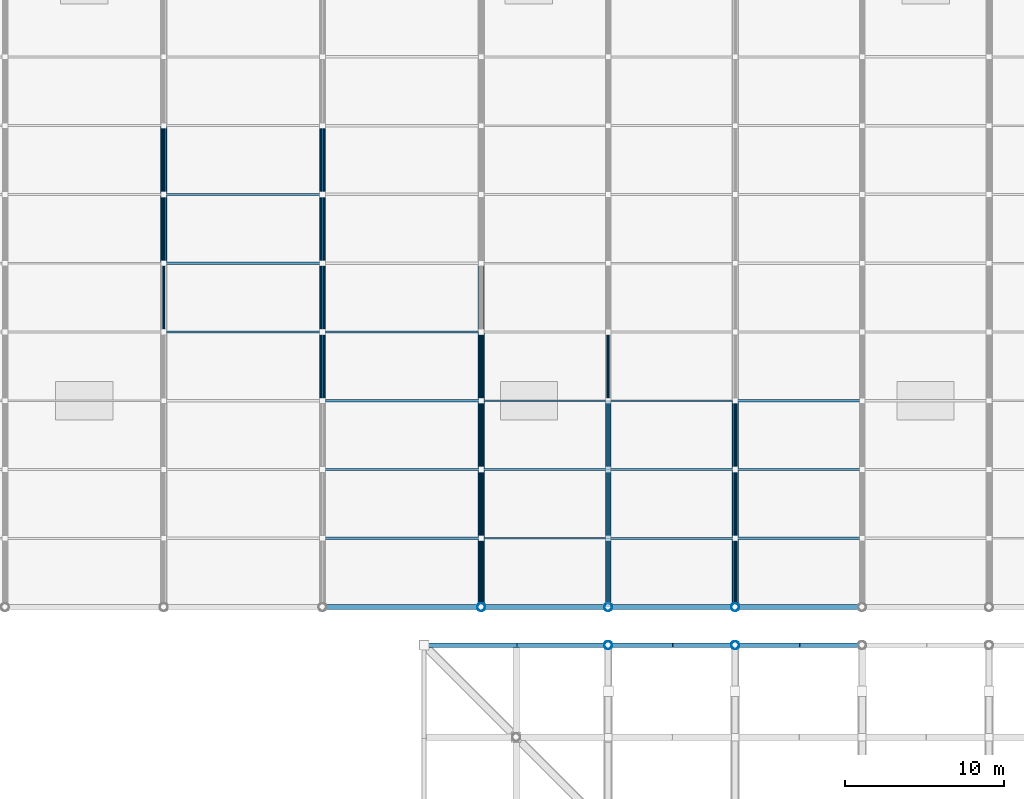
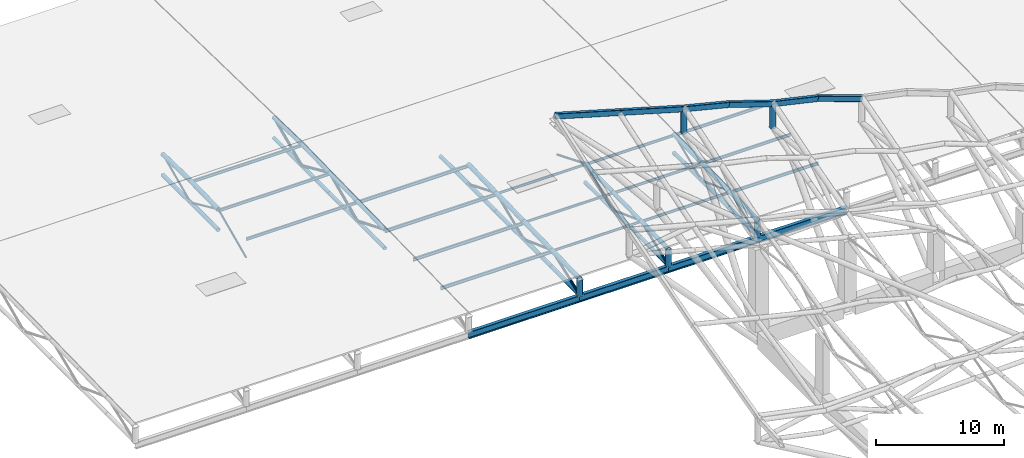
# One storey, part 13 of 75: 72 members, 10 beams.
"""IFC4 building model written with IfcOpenShell, lengths in metres."""

import ifcopenshell
import ifcopenshell.guid

model = None  # the IFC model being written
_history = None  # IfcOwnerHistory: only IFC2X3 demands one
_inside = {}  # id of a spatial element -> (the spatial element, [elements in it])
_under = {}  # id of a project, library or spatial element -> (it, [spatial elements below it])
_declared = {}  # id of a project -> (the project, [libraries it declares])
_typed = {}  # id of a type object -> (the type object, [elements of that type])
_made_of = {}  # id of a material, layer set ... -> (it, [elements and type objects made of it])


def new_model(schema):
    """Start an empty IFC model of exactly this schema.

    Asked for "IFC4X3", IfcOpenShell would pick the latest addendum, in which some entities
    have other attributes; the version numbers below select the first issue.
    IFC2X3 requires an IfcOwnerHistory on every rooted entity: one is made here for all.
    """
    global model, _history
    if schema == "IFC4X3":
        model = ifcopenshell.file(schema_version=(4, 3, 0, 0))
    else:
        model = ifcopenshell.file(schema=schema)
    _inside.clear()
    _under.clear()
    _declared.clear()
    _typed.clear()
    _made_of.clear()
    _history = None
    if model.schema == "IFC2X3":
        org = make("IfcOrganization", Name="unknown")
        user = make(
            "IfcPersonAndOrganization",
            ThePerson=make("IfcPerson", FamilyName="unknown"),
            TheOrganization=org,
        )
        app = make(
            "IfcApplication",
            ApplicationDeveloper=org,
            Version="unknown",
            ApplicationFullName="unknown",
            ApplicationIdentifier="unknown",
        )
        _history = make(
            "IfcOwnerHistory",
            OwningUser=user,
            OwningApplication=app,
            ChangeAction="ADDED",
            CreationDate=0,
        )
    return model


def make(cls, **values):
    """One entity of the class cls with the attributes given. An attribute that is None is left unset."""
    return model.create_entity(
        cls, **{name: value for name, value in values.items() if value is not None}
    )


def rooted(cls, **values):
    """An entity with a GlobalId (a new one), such as an element, a storey or a relation."""
    return make(cls, GlobalId=ifcopenshell.guid.new(), OwnerHistory=_history, **values)


def si_unit(unit_type, name, prefix=None):
    """IfcSIUnit, for example si_unit("LENGTHUNIT", "METRE", prefix="MILLI")."""
    return make("IfcSIUnit", UnitType=unit_type, Prefix=prefix, Name=name)


def assignment(units):
    """IfcUnitAssignment: the units of a project."""
    return None if units is None else make("IfcUnitAssignment", Units=units)


def point(xyz):
    """IfcCartesianPoint."""
    return None if xyz is None else make("IfcCartesianPoint", Coordinates=xyz)


def direction(xyz):
    """IfcDirection."""
    return None if xyz is None else make("IfcDirection", DirectionRatios=xyz)


def frame(location, z_axis=None, x_axis=None):
    """IfcAxis2Placement3D, a coordinate frame: its origin and axes. An axis left out is left unset."""
    return make(
        "IfcAxis2Placement3D",
        Location=point(location),
        Axis=direction(z_axis),
        RefDirection=direction(x_axis),
    )


def frame_2d(location, x_axis=None):
    """IfcAxis2Placement2D, a coordinate frame in the plane: its origin and x axis."""
    return make(
        "IfcAxis2Placement2D", Location=point(location), RefDirection=direction(x_axis)
    )


def origin():
    """The frame at (0, 0, 0) with its axes left unset."""
    return frame((0.0, 0.0, 0.0))


def origin_2d():
    """The frame at (0, 0) in the plane with its x axis left unset."""
    return frame_2d((0.0, 0.0))


def place(relative_to, where):
    """IfcLocalPlacement: puts the frame where relative to a parent placement (None: the world)."""
    return make(
        "IfcLocalPlacement", PlacementRelTo=relative_to, RelativePlacement=where
    )


def context(
    kind, dimensions, precision=None, world=None, true_north=None, identifier=None
):
    """IfcGeometricRepresentationContext, for example the 3D "Model" context."""
    return make(
        "IfcGeometricRepresentationContext",
        ContextIdentifier=identifier,
        ContextType=kind,
        CoordinateSpaceDimension=dimensions,
        Precision=precision,
        WorldCoordinateSystem=world,
        TrueNorth=true_north,
    )


def subcontext(parent, identifier, kind, view, scale=None):
    """IfcGeometricRepresentationSubContext, for example "Body" below "Model"."""
    return make(
        "IfcGeometricRepresentationSubContext",
        ContextIdentifier=identifier,
        ContextType=kind,
        ParentContext=parent,
        TargetScale=scale,
        TargetView=view,
    )


def project(units=None, contexts=None):
    """IfcProject with its units and contexts."""
    return rooted(
        "IfcProject",
        Name="project",
        RepresentationContexts=contexts,
        UnitsInContext=assignment(units),
    )


def spatial(cls, under=None, at=None, **own):
    """A site, building, storey or space (cls), placed at a placement, below another one or the project."""
    s = rooted(cls, ObjectPlacement=at, **own)
    if under is not None:
        _under.setdefault(under.id(), (under, []))[1].append(s)
    return s


def profile(cls, at=None, kind="AREA", **sizes):
    """A parametric profile (cls). Its sizes go by their IFC names, for example OverallWidth=200.0."""
    return make(cls, ProfileType=kind, Position=at, **sizes)


def hollow_rectangle(**sizes):
    """IfcRectangleHollowProfileDef."""
    return profile("IfcRectangleHollowProfileDef", **sizes)


def hollow_circle(**sizes):
    """IfcCircleHollowProfileDef."""
    return profile("IfcCircleHollowProfileDef", **sizes)


def i_section(**sizes):
    """IfcIShapeProfileDef."""
    return profile("IfcIShapeProfileDef", **sizes)


def extrude(swept, where, along, depth):
    """IfcExtrudedAreaSolid: the profile swept, set in the frame where, extruded along a direction by depth."""
    return make(
        "IfcExtrudedAreaSolid",
        SweptArea=swept,
        Position=where,
        ExtrudedDirection=direction(along),
        Depth=depth,
    )


def shape(context_of_items, identifier, shape_type, items):
    """IfcShapeRepresentation: the items that make up one representation, for example the "Body"."""
    return make(
        "IfcShapeRepresentation",
        ContextOfItems=context_of_items,
        RepresentationIdentifier=identifier,
        RepresentationType=shape_type,
        Items=items,
    )


def material(Name=None, Category=None):
    """IfcMaterial."""
    return make("IfcMaterial", Name=Name, Category=Category)


def material_profile(
    of_material, cross_section, Name=None, Category=None, Priority=None
):
    """IfcMaterialProfile: a cross section and its material."""
    return make(
        "IfcMaterialProfile",
        Name=Name,
        Material=of_material,
        Profile=cross_section,
        Priority=Priority,
        Category=Category,
    )


def profile_set(profiles, Name=None, composite=None):
    """IfcMaterialProfileSet."""
    return make(
        "IfcMaterialProfileSet",
        Name=Name,
        MaterialProfiles=profiles,
        CompositeProfile=composite,
    )


def made_of(thing, what):
    """Note that an element or type object is made of a material, layer set ...; save() writes the relation."""
    if what is not None:
        _made_of.setdefault(what.id(), (what, []))[1].append(thing)
    return thing


def type_object(cls, material=None, **own):
    """A type object (cls), such as IfcWallType, which elements share."""
    return made_of(rooted(cls, **own), material)


def element(
    cls,
    number,
    at=None,
    inside=None,
    cuts=None,
    type_object=None,
    material=None,
    context=None,
    identifier="Body",
    shape_type=None,
    held_by="IfcProductDefinitionShape",
    body=None,
    shapes=None,
    **own,
):
    """One element of the class cls, such as IfcWall. Its Tag is "e" and its number.

    at: its placement. inside: the storey or other place that contains it. cuts: it is an
    opening in that element (IfcRelVoidsElement). A single representation is given by context,
    identifier, shape_type and body (its items); several are given by shapes. held_by: the class
    of the entity that holds the representations. save() writes the other relations.
    """
    e = rooted(cls, Tag="e%d" % number, ObjectPlacement=at, **own)
    if body is not None:
        shapes = [shape(context, identifier, shape_type, body)]
    if shapes is not None:
        e.Representation = make(held_by, Representations=shapes)
    if inside is not None:
        _inside.setdefault(inside.id(), (inside, []))[1].append(e)
    if cuts is not None:
        rooted(
            "IfcRelVoidsElement", RelatingBuildingElement=cuts, RelatedOpeningElement=e
        )
    if type_object is not None:
        _typed.setdefault(type_object.id(), (type_object, []))[1].append(e)
    return made_of(e, material)


def aggregate(whole, parts):
    """IfcRelAggregates: a whole, such as a stair, and the parts it consists of."""
    return rooted("IfcRelAggregates", RelatingObject=whole, RelatedObjects=parts)


def save(model, path):
    """Write the relations noted so far, then the file.

    IfcRelAggregates (storeys below a building ...), IfcRelContainedInSpatialStructure (elements
    in a storey), IfcRelDefinesByType, IfcRelAssociatesMaterial and IfcRelDeclares: one each for
    every whole, place, type object, material and project.
    """
    for whole, parts in _under.values():
        aggregate(whole, parts)
    for where, things in _inside.values():
        rooted(
            "IfcRelContainedInSpatialStructure",
            RelatedElements=things,
            RelatingStructure=where,
        )
    for kind, things in _typed.values():
        rooted("IfcRelDefinesByType", RelatedObjects=things, RelatingType=kind)
    for what, things in _made_of.values():
        rooted("IfcRelAssociatesMaterial", RelatedObjects=things, RelatingMaterial=what)
    for by, libraries in _declared.values():
        rooted("IfcRelDeclares", RelatingContext=by, RelatedDefinitions=libraries)
    model.write(path)


model = new_model("IFC4")

# Units and contexts
model_context = context("Model", 3, precision=1e-05, world=origin(), true_north=direction((0.0, 1.0)))
body_context = subcontext(model_context, "Body", "Model", "MODEL_VIEW")
ifc_project = project(units=[si_unit("LENGTHUNIT", "METRE"), si_unit("AREAUNIT", "SQUARE_METRE"), si_unit("VOLUMEUNIT", "CUBIC_METRE"), si_unit("PLANEANGLEUNIT", "RADIAN"), si_unit("MASSUNIT", "GRAM", prefix="KILO")], contexts=[model_context])

# Site, building, storey
site_placement = place(None, origin())
site = spatial("IfcSite", under=ifc_project, at=site_placement, CompositionType="ELEMENT")
building_placement = place(site_placement, origin())
building = spatial("IfcBuilding", under=site, at=building_placement, Name="Khorjan Park Terminus", CompositionType="ELEMENT")
storey_placement = place(building_placement, frame((0.0, 0.0, 16.2)))
storey = spatial("IfcBuildingStorey", under=building, at=storey_placement, Name="L03", CompositionType="ELEMENT", Elevation=16.2)

# Members
ifc_material = material(Name="Steel S355", Category="steel")
ifc_material_profile_1 = material_profile(ifc_material, hollow_circle(Radius=0.0842, WallThickness=0.008, at=origin_2d()), Name="CHS 168.3x8")
ifc_profile_set_1 = profile_set([ifc_material_profile_1], Name="Steel S355")
member_type_1 = type_object("IfcMemberType", Name="MB-BR-168", PredefinedType="BRACE", material=ifc_profile_set_1)
for number, where, z_axis, x_axis, name in (
    (1, (20.0, 119.3333, -2.6), (0.0, 0.911269553162, 0.411810395061), (-1.0, 0.0, 0.0), "Train shed flat truss web diagonal TB-17 (T3)"),
    (2, (20.0, 123.6667, -0.6417), (0.0, 0.911265986802, -0.411818286745), (-1.0, 0.0, 0.0), "Train shed flat truss web diagonal TB-17 (T3)"),
    (3, (20.0, 128.0, -2.6), (0.0, 0.911265986802, 0.411818286745), (-1.0, 0.0, 0.0), "Train shed flat truss web diagonal TB-17 (T3)"),
):
    element("IfcMember", number, at=place(storey_placement, frame(where, z_axis=z_axis, x_axis=x_axis)), inside=storey, type_object=member_type_1, Name=name, PredefinedType="BRACE", context=body_context, shape_type="SweptSolid", body=[
        extrude(hollow_circle(Radius=0.0842, WallThickness=0.008, at=origin_2d()), origin(), (0.0, 0.0, 1.0), 4.7553),
    ])
member_1_placement = place(storey_placement, frame((56.0, 102.0, -2.6), z_axis=(0.0, 0.938678487602, 0.344793701963), x_axis=(-1.0, 0.0, 0.0)))
element("IfcMember", 4, at=member_1_placement, inside=storey, type_object=member_type_1, Name="Train shed flat truss web diagonal TB-17 (T7)", PredefinedType="BRACE", context=body_context, shape_type="SweptSolid", body=[
    extrude(hollow_circle(Radius=0.0842, WallThickness=0.008, at=origin_2d()), origin(), (0.0, 0.0, 1.0), 4.6164),
])
member_2_placement = place(storey_placement, frame((56.0, 106.3333, -1.0083), z_axis=(0.0, 0.938681062758, -0.344786691187), x_axis=(-1.0, 0.0, 0.0)))
element("IfcMember", 5, at=member_2_placement, inside=storey, type_object=member_type_1, Name="Train shed flat truss web diagonal TB-17 (T7)", PredefinedType="BRACE", context=body_context, shape_type="SweptSolid", body=[
    extrude(hollow_circle(Radius=0.0842, WallThickness=0.008, at=origin_2d()), origin(), (0.0, 0.0, 1.0), 4.6165),
])
member_3_placement = place(storey_placement, frame((56.0, 110.6667, -2.6), z_axis=(0.0, 0.92537575721, 0.379051062481), x_axis=(-1.0, 0.0, 0.0)))
element("IfcMember", 6, at=member_3_placement, inside=storey, type_object=member_type_1, Name="Train shed flat truss web diagonal TB-17 (T7)", PredefinedType="BRACE", context=body_context, shape_type="SweptSolid", body=[
    extrude(hollow_circle(Radius=0.0842, WallThickness=0.008, at=origin_2d()), origin(), (0.0, 0.0, 1.0), 4.6827),
])
ifc_material_profile_2 = material_profile(ifc_material, hollow_circle(Radius=0.0969, WallThickness=0.01, at=origin_2d()), Name="CHS 193.7x10")
ifc_profile_set_2 = profile_set([ifc_material_profile_2], Name="Steel S355")
member_type_2 = type_object("IfcMemberType", Name="MB-BR-194", PredefinedType="BRACE", material=ifc_profile_set_2)
member_4_placement = place(storey_placement, frame((48.0, 102.0, -2.6), z_axis=(0.0, 0.938678487602, 0.344793701963), x_axis=(-1.0, 0.0, 0.0)))
element("IfcMember", 7, at=member_4_placement, inside=storey, type_object=member_type_2, Name="Train shed flat truss web diagonal TB-19 (T6)", PredefinedType="BRACE", context=body_context, shape_type="SweptSolid", body=[
    extrude(hollow_circle(Radius=0.0969, WallThickness=0.01, at=origin_2d()), origin(), (0.0, 0.0, 1.0), 4.6164),
])
member_5_placement = place(storey_placement, frame((48.0, 106.3333, -1.0083), z_axis=(0.0, 0.938681062758, -0.344786691187), x_axis=(-1.0, 0.0, 0.0)))
element("IfcMember", 8, at=member_5_placement, inside=storey, type_object=member_type_2, Name="Train shed flat truss web diagonal TB-19 (T6)", PredefinedType="BRACE", context=body_context, shape_type="SweptSolid", body=[
    extrude(hollow_circle(Radius=0.0969, WallThickness=0.01, at=origin_2d()), origin(), (0.0, 0.0, 1.0), 4.6165),
])
for number, where, z_axis, x_axis, name in (
    (9, (48.0, 110.6667, -2.6), (0.0, 0.92537575721, 0.379051062481), (-1.0, 0.0, 0.0), "Train shed flat truss web diagonal TB-19 (T6)"),
    (10, (48.0, 115.0, -0.825), (0.0, 0.92537575721, -0.379051062481), (-1.0, 0.0, 0.0), "Train shed flat truss web diagonal TB-19 (T6)"),
):
    element("IfcMember", number, at=place(storey_placement, frame(where, z_axis=z_axis, x_axis=x_axis)), inside=storey, type_object=member_type_2, Name=name, PredefinedType="BRACE", context=body_context, shape_type="SweptSolid", body=[
        extrude(hollow_circle(Radius=0.0969, WallThickness=0.01, at=origin_2d()), origin(), (0.0, 0.0, 1.0), 4.6827),
    ])
ifc_material_profile_3 = material_profile(ifc_material, hollow_circle(Radius=0.1095, WallThickness=0.01, at=origin_2d()), Name="CHS 219.1x10")
ifc_profile_set_3 = profile_set([ifc_material_profile_3], Name="Steel S355")
member_type_3 = type_object("IfcMemberType", Name="MB-BR-219", PredefinedType="BRACE", material=ifc_profile_set_3)
member_6_placement = place(storey_placement, frame((40.0, 102.0, -2.6), z_axis=(0.0, 0.938678487602, 0.344793701963), x_axis=(-1.0, 0.0, 0.0)))
element("IfcMember", 11, at=member_6_placement, inside=storey, type_object=member_type_3, Name="Train shed flat truss web diagonal TB-22 (T5)", PredefinedType="BRACE", context=body_context, shape_type="SweptSolid", body=[
    extrude(hollow_circle(Radius=0.1095, WallThickness=0.01, at=origin_2d()), origin(), (0.0, 0.0, 1.0), 4.6164),
])
member_7_placement = place(storey_placement, frame((40.0, 106.3333, -1.0083), z_axis=(0.0, 0.938681062758, -0.344786691187), x_axis=(-1.0, 0.0, 0.0)))
element("IfcMember", 12, at=member_7_placement, inside=storey, type_object=member_type_3, Name="Train shed flat truss web diagonal TB-22 (T5)", PredefinedType="BRACE", context=body_context, shape_type="SweptSolid", body=[
    extrude(hollow_circle(Radius=0.1095, WallThickness=0.01, at=origin_2d()), origin(), (0.0, 0.0, 1.0), 4.6165),
])
for number, where, z_axis, x_axis, name in (
    (13, (40.0, 110.6667, -2.6), (0.0, 0.92537575721, 0.379051062481), (-1.0, 0.0, 0.0), "Train shed flat truss web diagonal TB-22 (T5)"),
    (14, (40.0, 115.0, -0.825), (0.0, 0.92537575721, -0.379051062481), (-1.0, 0.0, 0.0), "Train shed flat truss web diagonal TB-22 (T5)"),
):
    element("IfcMember", number, at=place(storey_placement, frame(where, z_axis=z_axis, x_axis=x_axis)), inside=storey, type_object=member_type_3, Name=name, PredefinedType="BRACE", context=body_context, shape_type="SweptSolid", body=[
        extrude(hollow_circle(Radius=0.1095, WallThickness=0.01, at=origin_2d()), origin(), (0.0, 0.0, 1.0), 4.6827),
    ])
ifc_material_profile_4 = material_profile(ifc_material, hollow_circle(Radius=0.1222, WallThickness=0.0125, at=origin_2d()), Name="CHS 244.5x12.5")
ifc_profile_set_4 = profile_set([ifc_material_profile_4], Name="Steel S355")
member_type_4 = type_object("IfcMemberType", Name="MB-BR-245", PredefinedType="BRACE", material=ifc_profile_set_4)
member_8_placement = place(storey_placement, frame((30.0, 115.0, -0.825), z_axis=(0.0, 0.92537575721, -0.379051062481), x_axis=(-1.0, 0.0, 0.0)))
element("IfcMember", 15, at=member_8_placement, inside=storey, type_object=member_type_4, Name="Train shed flat truss web diagonal TB-24 (T4)", PredefinedType="BRACE", context=body_context, shape_type="SweptSolid", body=[
    extrude(hollow_circle(Radius=0.1222, WallThickness=0.0125, at=origin_2d()), origin(), (0.0, 0.0, 1.0), 4.6827),
])
for number, where, z_axis, x_axis, name in (
    (16, (30.0, 119.3333, -2.6), (0.0, 0.911269553162, 0.411810395061), (-1.0, 0.0, 0.0), "Train shed flat truss web diagonal TB-24 (T4)"),
    (17, (30.0, 123.6667, -0.6417), (0.0, 0.911265986802, -0.411818286745), (-1.0, 0.0, 0.0), "Train shed flat truss web diagonal TB-24 (T4)"),
    (18, (30.0, 128.0, -2.6), (0.0, 0.911265986802, 0.411818286745), (-1.0, 0.0, 0.0), "Train shed flat truss web diagonal TB-24 (T4)"),
):
    element("IfcMember", number, at=place(storey_placement, frame(where, z_axis=z_axis, x_axis=x_axis)), inside=storey, type_object=member_type_4, Name=name, PredefinedType="BRACE", context=body_context, shape_type="SweptSolid", body=[
        extrude(hollow_circle(Radius=0.1222, WallThickness=0.0125, at=origin_2d()), origin(), (0.0, 0.0, 1.0), 4.7553),
    ])
ifc_material_profile_5 = material_profile(ifc_material, hollow_circle(Radius=0.162, WallThickness=0.0125, at=origin_2d()), Name="CHS 323.9x12.5")
ifc_profile_set_5 = profile_set([ifc_material_profile_5], Name="Steel S355")
member_type_5 = type_object("IfcMemberType", Name="MB-CH-324", PredefinedType="CHORD", material=ifc_profile_set_5)
member_9_placement = place(storey_placement, frame((30.0, 115.0, -2.6), z_axis=(0.0, 1.0, 0.0), x_axis=(-1.0, 0.0, 0.0)))
element("IfcMember", 19, at=member_9_placement, inside=storey, type_object=member_type_5, Name="Train shed flat truss bottom chord TC-32 (T4)", PredefinedType="CHORD", context=body_context, shape_type="SweptSolid", body=[
    extrude(hollow_circle(Radius=0.162, WallThickness=0.0125, at=origin_2d()), origin(), (0.0, 0.0, 1.0), 4.3333),
])
member_10_placement = place(storey_placement, frame((30.0, 119.3333, -2.6), z_axis=(0.0, 1.0, 0.0), x_axis=(-1.0, 0.0, 0.0)))
element("IfcMember", 20, at=member_10_placement, inside=storey, type_object=member_type_5, Name="Train shed flat truss bottom chord TC-32 (T4)", PredefinedType="CHORD", context=body_context, shape_type="SweptSolid", body=[
    extrude(hollow_circle(Radius=0.162, WallThickness=0.0125, at=origin_2d()), origin(), (0.0, 0.0, 1.0), 4.3334),
])
for number, where, z_axis, x_axis, name in (
    (21, (30.0, 123.6667, -2.6), (0.0, 1.0, 0.0), (-1.0, 0.0, 0.0), "Train shed flat truss bottom chord TC-32 (T4)"),
    (22, (30.0, 128.0, -2.6), (0.0, 1.0, 0.0), (-1.0, 0.0, 0.0), "Train shed flat truss bottom chord TC-32 (T4)"),
    (23, (48.0, 102.0, -2.6), (0.0, 1.0, 0.0), (-1.0, 0.0, 0.0), "Train shed flat truss bottom chord TC-32 (T6)"),
):
    element("IfcMember", number, at=place(storey_placement, frame(where, z_axis=z_axis, x_axis=x_axis)), inside=storey, type_object=member_type_5, Name=name, PredefinedType="CHORD", context=body_context, shape_type="SweptSolid", body=[
        extrude(hollow_circle(Radius=0.162, WallThickness=0.0125, at=origin_2d()), origin(), (0.0, 0.0, 1.0), 4.3333),
    ])
member_11_placement = place(storey_placement, frame((48.0, 106.3333, -2.6), z_axis=(0.0, 1.0, 0.0), x_axis=(-1.0, 0.0, 0.0)))
element("IfcMember", 24, at=member_11_placement, inside=storey, type_object=member_type_5, Name="Train shed flat truss bottom chord TC-32 (T6)", PredefinedType="CHORD", context=body_context, shape_type="SweptSolid", body=[
    extrude(hollow_circle(Radius=0.162, WallThickness=0.0125, at=origin_2d()), origin(), (0.0, 0.0, 1.0), 4.3334),
])
member_12_placement = place(storey_placement, frame((48.0, 110.6667, -2.6), z_axis=(0.0, 1.0, 0.0), x_axis=(-1.0, 0.0, 0.0)))
element("IfcMember", 25, at=member_12_placement, inside=storey, type_object=member_type_5, Name="Train shed flat truss bottom chord TC-32 (T6)", PredefinedType="CHORD", context=body_context, shape_type="SweptSolid", body=[
    extrude(hollow_circle(Radius=0.162, WallThickness=0.0125, at=origin_2d()), origin(), (0.0, 0.0, 1.0), 4.3333),
])
ifc_material_profile_6 = material_profile(ifc_material, hollow_circle(Radius=0.1778, WallThickness=0.016, at=origin_2d()), Name="CHS 355.6x16")
ifc_profile_set_6 = profile_set([ifc_material_profile_6], Name="Steel S355")
member_type_6 = type_object("IfcMemberType", Name="MB-CH-356", PredefinedType="CHORD", material=ifc_profile_set_6)
for number, where, z_axis, x_axis, name in (
    (26, (20.0, 123.6667, -2.6), (0.0, 1.0, 0.0), (-1.0, 0.0, 0.0), "Train shed flat truss bottom chord TC-36 (T3)"),
    (27, (20.0, 128.0, -2.6), (0.0, 1.0, 0.0), (-1.0, 0.0, 0.0), "Train shed flat truss bottom chord TC-36 (T3)"),
):
    element("IfcMember", number, at=place(storey_placement, frame(where, z_axis=z_axis, x_axis=x_axis)), inside=storey, type_object=member_type_6, Name=name, PredefinedType="CHORD", context=body_context, shape_type="SweptSolid", body=[
        extrude(hollow_circle(Radius=0.1778, WallThickness=0.016, at=origin_2d()), origin(), (0.0, 0.0, 1.0), 4.3333),
    ])
member_13_placement = place(storey_placement, frame((30.0, 115.0, -0.825), z_axis=(0.0, 0.999776166375, 0.021156964544), x_axis=(-1.0, 0.0, 0.0)))
element("IfcMember", 28, at=member_13_placement, inside=storey, type_object=member_type_6, Name="Train shed flat truss top chord TC-36 (T4)", PredefinedType="CHORD", context=body_context, shape_type="SweptSolid", body=[
    extrude(hollow_circle(Radius=0.1778, WallThickness=0.016, at=origin_2d()), origin(), (0.0, 0.0, 1.0), 4.3343),
])
member_14_placement = place(storey_placement, frame((30.0, 119.3333, -0.7333), z_axis=(0.0, 0.999776664437, 0.021133415439), x_axis=(-1.0, 0.0, 0.0)))
element("IfcMember", 29, at=member_14_placement, inside=storey, type_object=member_type_6, Name="Train shed flat truss top chord TC-36 (T4)", PredefinedType="CHORD", context=body_context, shape_type="SweptSolid", body=[
    extrude(hollow_circle(Radius=0.1778, WallThickness=0.016, at=origin_2d()), origin(), (0.0, 0.0, 1.0), 4.3344),
])
for number, where, z_axis, x_axis, name in (
    (30, (30.0, 123.6667, -0.6417), (0.0, 0.999776166375, 0.021156964544), (-1.0, 0.0, 0.0), "Train shed flat truss top chord TC-36 (T4)"),
    (31, (30.0, 128.0, -0.55), (0.0, 0.999776166375, -0.021156964544), (-1.0, 0.0, 0.0), "Train shed flat truss top chord TC-36 (T4)"),
):
    element("IfcMember", number, at=place(storey_placement, frame(where, z_axis=z_axis, x_axis=x_axis)), inside=storey, type_object=member_type_6, Name=name, PredefinedType="CHORD", context=body_context, shape_type="SweptSolid", body=[
        extrude(hollow_circle(Radius=0.1778, WallThickness=0.016, at=origin_2d()), origin(), (0.0, 0.0, 1.0), 4.3343),
    ])
member_15_placement = place(storey_placement, frame((40.0, 102.0, -2.6), z_axis=(0.0, 1.0, 0.0), x_axis=(-1.0, 0.0, 0.0)))
element("IfcMember", 32, at=member_15_placement, inside=storey, type_object=member_type_6, Name="Train shed flat truss bottom chord TC-36 (T5)", PredefinedType="CHORD", context=body_context, shape_type="SweptSolid", body=[
    extrude(hollow_circle(Radius=0.1778, WallThickness=0.016, at=origin_2d()), origin(), (0.0, 0.0, 1.0), 4.3333),
])
member_16_placement = place(storey_placement, frame((40.0, 106.3333, -2.6), z_axis=(0.0, 1.0, 0.0), x_axis=(-1.0, 0.0, 0.0)))
element("IfcMember", 33, at=member_16_placement, inside=storey, type_object=member_type_6, Name="Train shed flat truss bottom chord TC-36 (T5)", PredefinedType="CHORD", context=body_context, shape_type="SweptSolid", body=[
    extrude(hollow_circle(Radius=0.1778, WallThickness=0.016, at=origin_2d()), origin(), (0.0, 0.0, 1.0), 4.3334),
])
for number, where, z_axis, x_axis, name in (
    (34, (40.0, 110.6667, -2.6), (0.0, 1.0, 0.0), (-1.0, 0.0, 0.0), "Train shed flat truss bottom chord TC-36 (T5)"),
    (35, (40.0, 115.0, -2.6), (0.0, 1.0, 0.0), (-1.0, 0.0, 0.0), "Train shed flat truss bottom chord TC-36 (T5)"),
):
    element("IfcMember", number, at=place(storey_placement, frame(where, z_axis=z_axis, x_axis=x_axis)), inside=storey, type_object=member_type_6, Name=name, PredefinedType="CHORD", context=body_context, shape_type="SweptSolid", body=[
        extrude(hollow_circle(Radius=0.1778, WallThickness=0.016, at=origin_2d()), origin(), (0.0, 0.0, 1.0), 4.3333),
    ])
member_17_placement = place(storey_placement, frame((40.0, 119.3333, -2.6), z_axis=(0.0, 1.0, 0.0), x_axis=(-1.0, 0.0, 0.0)))
element("IfcMember", 36, at=member_17_placement, inside=storey, type_object=member_type_6, Name="Train shed flat truss bottom chord TC-36 (T5)", PredefinedType="CHORD", context=body_context, shape_type="SweptSolid", body=[
    extrude(hollow_circle(Radius=0.1778, WallThickness=0.016, at=origin_2d()), origin(), (0.0, 0.0, 1.0), 4.3334),
])
member_18_placement = place(storey_placement, frame((48.0, 102.0, -1.1), z_axis=(0.0, 0.999776166375, 0.021156964544), x_axis=(-1.0, 0.0, 0.0)))
element("IfcMember", 37, at=member_18_placement, inside=storey, type_object=member_type_6, Name="Train shed flat truss top chord TC-36 (T6)", PredefinedType="CHORD", context=body_context, shape_type="SweptSolid", body=[
    extrude(hollow_circle(Radius=0.1778, WallThickness=0.016, at=origin_2d()), origin(), (0.0, 0.0, 1.0), 4.3343),
])
member_19_placement = place(storey_placement, frame((48.0, 106.3333, -1.0083), z_axis=(0.0, 0.999776664437, 0.021133415439), x_axis=(-1.0, 0.0, 0.0)))
element("IfcMember", 38, at=member_19_placement, inside=storey, type_object=member_type_6, Name="Train shed flat truss top chord TC-36 (T6)", PredefinedType="CHORD", context=body_context, shape_type="SweptSolid", body=[
    extrude(hollow_circle(Radius=0.1778, WallThickness=0.016, at=origin_2d()), origin(), (0.0, 0.0, 1.0), 4.3344),
])
member_20_placement = place(storey_placement, frame((48.0, 110.6667, -0.9167), z_axis=(0.0, 0.999776166375, 0.021156964544), x_axis=(-1.0, 0.0, 0.0)))
element("IfcMember", 39, at=member_20_placement, inside=storey, type_object=member_type_6, Name="Train shed flat truss top chord TC-36 (T6)", PredefinedType="CHORD", context=body_context, shape_type="SweptSolid", body=[
    extrude(hollow_circle(Radius=0.1778, WallThickness=0.016, at=origin_2d()), origin(), (0.0, 0.0, 1.0), 4.3343),
])
member_21_placement = place(storey_placement, frame((56.0, 102.0, -2.6), z_axis=(0.0, 1.0, 0.0), x_axis=(-1.0, 0.0, 0.0)))
element("IfcMember", 40, at=member_21_placement, inside=storey, type_object=member_type_6, Name="Train shed flat truss bottom chord TC-36 (T7)", PredefinedType="CHORD", context=body_context, shape_type="SweptSolid", body=[
    extrude(hollow_circle(Radius=0.1778, WallThickness=0.016, at=origin_2d()), origin(), (0.0, 0.0, 1.0), 4.3333),
])
member_22_placement = place(storey_placement, frame((56.0, 106.3333, -2.6), z_axis=(0.0, 1.0, 0.0), x_axis=(-1.0, 0.0, 0.0)))
element("IfcMember", 41, at=member_22_placement, inside=storey, type_object=member_type_6, Name="Train shed flat truss bottom chord TC-36 (T7)", PredefinedType="CHORD", context=body_context, shape_type="SweptSolid", body=[
    extrude(hollow_circle(Radius=0.1778, WallThickness=0.016, at=origin_2d()), origin(), (0.0, 0.0, 1.0), 4.3334),
])
member_23_placement = place(storey_placement, frame((56.0, 110.6667, -2.6), z_axis=(0.0, 1.0, 0.0), x_axis=(-1.0, 0.0, 0.0)))
element("IfcMember", 42, at=member_23_placement, inside=storey, type_object=member_type_6, Name="Train shed flat truss bottom chord TC-36 (T7)", PredefinedType="CHORD", context=body_context, shape_type="SweptSolid", body=[
    extrude(hollow_circle(Radius=0.1778, WallThickness=0.016, at=origin_2d()), origin(), (0.0, 0.0, 1.0), 4.3333),
])
ifc_material_profile_7 = material_profile(ifc_material, hollow_circle(Radius=0.2032, WallThickness=0.016, at=origin_2d()), Name="CHS 406.4x16")
ifc_profile_set_7 = profile_set([ifc_material_profile_7], Name="Steel S355")
member_type_7 = type_object("IfcMemberType", Name="MB-CH-406", PredefinedType="CHORD", material=ifc_profile_set_7)
for number, where, z_axis, x_axis, name in (
    (43, (20.0, 123.6667, -0.6417), (0.0, 0.999776166375, 0.021156964544), (-1.0, 0.0, 0.0), "Train shed flat truss top chord TC-41 (T3)"),
    (44, (20.0, 128.0, -0.55), (0.0, 0.999776166375, -0.021156964544), (-1.0, 0.0, 0.0), "Train shed flat truss top chord TC-41 (T3)"),
    (45, (40.0, 102.0, -1.1), (0.0, 0.999776166375, 0.021156964544), (-1.0, 0.0, 0.0), "Train shed flat truss top chord TC-41 (T5)"),
):
    element("IfcMember", number, at=place(storey_placement, frame(where, z_axis=z_axis, x_axis=x_axis)), inside=storey, type_object=member_type_7, Name=name, PredefinedType="CHORD", context=body_context, shape_type="SweptSolid", body=[
        extrude(hollow_circle(Radius=0.2032, WallThickness=0.016, at=origin_2d()), origin(), (0.0, 0.0, 1.0), 4.3343),
    ])
member_24_placement = place(storey_placement, frame((40.0, 106.3333, -1.0083), z_axis=(0.0, 0.999776664437, 0.021133415439), x_axis=(-1.0, 0.0, 0.0)))
element("IfcMember", 46, at=member_24_placement, inside=storey, type_object=member_type_7, Name="Train shed flat truss top chord TC-41 (T5)", PredefinedType="CHORD", context=body_context, shape_type="SweptSolid", body=[
    extrude(hollow_circle(Radius=0.2032, WallThickness=0.016, at=origin_2d()), origin(), (0.0, 0.0, 1.0), 4.3344),
])
for number, where, z_axis, x_axis, name in (
    (47, (40.0, 110.6667, -0.9167), (0.0, 0.999776166375, 0.021156964544), (-1.0, 0.0, 0.0), "Train shed flat truss top chord TC-41 (T5)"),
    (48, (40.0, 115.0, -0.825), (0.0, 0.999776166375, 0.021156964544), (-1.0, 0.0, 0.0), "Train shed flat truss top chord TC-41 (T5)"),
    (49, (56.0, 102.0, -1.1), (0.0, 0.999776166375, 0.021156964544), (-1.0, 0.0, 0.0), "Train shed flat truss top chord TC-41 (T7)"),
):
    element("IfcMember", number, at=place(storey_placement, frame(where, z_axis=z_axis, x_axis=x_axis)), inside=storey, type_object=member_type_7, Name=name, PredefinedType="CHORD", context=body_context, shape_type="SweptSolid", body=[
        extrude(hollow_circle(Radius=0.2032, WallThickness=0.016, at=origin_2d()), origin(), (0.0, 0.0, 1.0), 4.3343),
    ])
member_25_placement = place(storey_placement, frame((56.0, 106.3333, -1.0083), z_axis=(0.0, 0.999776664437, 0.021133415439), x_axis=(-1.0, 0.0, 0.0)))
element("IfcMember", 50, at=member_25_placement, inside=storey, type_object=member_type_7, Name="Train shed flat truss top chord TC-41 (T7)", PredefinedType="CHORD", context=body_context, shape_type="SweptSolid", body=[
    extrude(hollow_circle(Radius=0.2032, WallThickness=0.016, at=origin_2d()), origin(), (0.0, 0.0, 1.0), 4.3344),
])
member_26_placement = place(storey_placement, frame((56.0, 110.6667, -0.9167), z_axis=(0.0, 0.999776166375, 0.021156964544), x_axis=(-1.0, 0.0, 0.0)))
element("IfcMember", 51, at=member_26_placement, inside=storey, type_object=member_type_7, Name="Train shed flat truss top chord TC-41 (T7)", PredefinedType="CHORD", context=body_context, shape_type="SweptSolid", body=[
    extrude(hollow_circle(Radius=0.2032, WallThickness=0.016, at=origin_2d()), origin(), (0.0, 0.0, 1.0), 4.3343),
])
ifc_material_profile_8 = material_profile(ifc_material, i_section(OverallWidth=0.11, OverallDepth=0.22, WebThickness=0.0059, FlangeThickness=0.0092, FilletRadius=0.012, at=origin_2d()), Name="IPE 220")
ifc_profile_set_8 = profile_set([ifc_material_profile_8], Name="Steel S355")
member_type_8 = type_object("IfcMemberType", Name="MB-PR-IPE220", PredefinedType="PURLIN", material=ifc_profile_set_8)
for number, where, z_axis, x_axis, name in (
    (52, (40.0, 106.3333, -1.0983), (1.0, 0.0, 0.0), (0.0, 1.0, 0.0), "Train shed secondary roof purlin PR-22 (Bay 5)"),
    (53, (40.0, 110.6667, -1.0067), (1.0, 0.0, 0.0), (0.0, 1.0, 0.0), "Train shed secondary roof purlin PR-22 (Bay 5)"),
    (54, (40.0, 115.0, -0.915), (1.0, 0.0, 0.0), (0.0, 1.0, 0.0), "Train shed secondary roof purlin PR-22 (Bay 5)"),
):
    element("IfcMember", number, at=place(storey_placement, frame(where, z_axis=z_axis, x_axis=x_axis)), inside=storey, type_object=member_type_8, Name=name, PredefinedType="PURLIN", context=body_context, shape_type="SweptSolid", body=[
        extrude(i_section(OverallWidth=0.11, OverallDepth=0.22, WebThickness=0.0059, FlangeThickness=0.0092, FilletRadius=0.012, at=origin_2d()), origin(), (0.0, 0.0, 1.0), 8.0),
    ])
ifc_material_profile_9 = material_profile(ifc_material, i_section(OverallWidth=0.12, OverallDepth=0.24, WebThickness=0.0062, FlangeThickness=0.0098, FilletRadius=0.015, at=origin_2d()), Name="IPE 240")
ifc_profile_set_9 = profile_set([ifc_material_profile_9], Name="Steel S355")
member_type_9 = type_object("IfcMemberType", Name="MB-PR-IPE240", PredefinedType="PURLIN", material=ifc_profile_set_9)
for number, where, z_axis, x_axis, name in (
    (55, (48.0, 106.3333, -1.1083), (1.0, 0.0, 0.0), (0.0, 1.0, 0.0), "Train shed secondary roof purlin PR-24 (Bay 6)"),
    (56, (48.0, 110.6667, -1.0167), (1.0, 0.0, 0.0), (0.0, 1.0, 0.0), "Train shed secondary roof purlin PR-24 (Bay 6)"),
    (57, (48.0, 115.0, -0.925), (1.0, 0.0, 0.0), (0.0, 1.0, 0.0), "Train shed secondary roof purlin PR-24 (Bay 6)"),
):
    element("IfcMember", number, at=place(storey_placement, frame(where, z_axis=z_axis, x_axis=x_axis)), inside=storey, type_object=member_type_9, Name=name, PredefinedType="PURLIN", context=body_context, shape_type="SweptSolid", body=[
        extrude(i_section(OverallWidth=0.12, OverallDepth=0.24, WebThickness=0.0062, FlangeThickness=0.0098, FilletRadius=0.015, at=origin_2d()), origin(), (0.0, 0.0, 1.0), 8.0),
    ])
ifc_material_profile_10 = material_profile(ifc_material, i_section(OverallWidth=0.135, OverallDepth=0.27, WebThickness=0.0066, FlangeThickness=0.0102, FilletRadius=0.015, at=origin_2d()), Name="IPE 270")
ifc_profile_set_10 = profile_set([ifc_material_profile_10], Name="Steel S355")
member_type_10 = type_object("IfcMemberType", Name="MB-PR-IPE270", PredefinedType="PURLIN", material=ifc_profile_set_10)
for number, where, z_axis, x_axis, name in (
    (58, (20.0, 119.3333, -0.8483), (1.0, 0.0, 0.0), (0.0, 1.0, 0.0), "Train shed secondary roof purlin PR-27 (Bay 3)"),
    (59, (20.0, 123.6667, -0.7567), (1.0, 0.0, 0.0), (0.0, 1.0, 0.0), "Train shed secondary roof purlin PR-27 (Bay 3)"),
    (60, (20.0, 128.0, -0.665), (1.0, 0.0, 0.0), (0.0, 1.0, 0.0), "Train shed secondary roof purlin PR-27 (Bay 3)"),
):
    element("IfcMember", number, at=place(storey_placement, frame(where, z_axis=z_axis, x_axis=x_axis)), inside=storey, type_object=member_type_10, Name=name, PredefinedType="PURLIN", context=body_context, shape_type="SweptSolid", body=[
        extrude(i_section(OverallWidth=0.135, OverallDepth=0.27, WebThickness=0.0066, FlangeThickness=0.0102, FilletRadius=0.015, at=origin_2d()), origin(), (0.0, 0.0, 1.0), 10.0),
    ])
for number, where, z_axis, x_axis, name in (
    (61, (56.0, 106.3333, -1.1233), (1.0, 0.0, 0.0), (0.0, 1.0, 0.0), "Train shed secondary roof purlin PR-27 (Bay 7)"),
    (62, (56.0, 110.6667, -1.0317), (1.0, 0.0, 0.0), (0.0, 1.0, 0.0), "Train shed secondary roof purlin PR-27 (Bay 7)"),
    (63, (56.0, 115.0, -0.94), (1.0, 0.0, 0.0), (0.0, 1.0, 0.0), "Train shed secondary roof purlin PR-27 (Bay 7)"),
):
    element("IfcMember", number, at=place(storey_placement, frame(where, z_axis=z_axis, x_axis=x_axis)), inside=storey, type_object=member_type_10, Name=name, PredefinedType="PURLIN", context=body_context, shape_type="SweptSolid", body=[
        extrude(i_section(OverallWidth=0.135, OverallDepth=0.27, WebThickness=0.0066, FlangeThickness=0.0102, FilletRadius=0.015, at=origin_2d()), origin(), (0.0, 0.0, 1.0), 8.0),
    ])
ifc_material_profile_11 = material_profile(ifc_material, i_section(OverallWidth=0.15, OverallDepth=0.3, WebThickness=0.0071, FlangeThickness=0.0107, FilletRadius=0.015, at=origin_2d()), Name="IPE 300")
ifc_profile_set_11 = profile_set([ifc_material_profile_11], Name="Steel S355")
member_type_11 = type_object("IfcMemberType", Name="MB-PR-IPE300", PredefinedType="PURLIN", material=ifc_profile_set_11)
for number, where, z_axis, x_axis, name in (
    (64, (30.0, 106.3333, -1.1383), (1.0, 0.0, 0.0), (0.0, 1.0, 0.0), "Train shed secondary roof purlin PR-30 (Bay 4)"),
    (65, (30.0, 110.6667, -1.0467), (1.0, 0.0, 0.0), (0.0, 1.0, 0.0), "Train shed secondary roof purlin PR-30 (Bay 4)"),
    (66, (30.0, 115.0, -0.955), (1.0, 0.0, 0.0), (0.0, 1.0, 0.0), "Train shed secondary roof purlin PR-30 (Bay 4)"),
    (67, (30.0, 119.3333, -0.8633), (1.0, 0.0, 0.0), (0.0, 1.0, 0.0), "Train shed secondary roof purlin PR-30 (Bay 4)"),
):
    element("IfcMember", number, at=place(storey_placement, frame(where, z_axis=z_axis, x_axis=x_axis)), inside=storey, type_object=member_type_11, Name=name, PredefinedType="PURLIN", context=body_context, shape_type="SweptSolid", body=[
        extrude(i_section(OverallWidth=0.15, OverallDepth=0.3, WebThickness=0.0071, FlangeThickness=0.0107, FilletRadius=0.015, at=origin_2d()), origin(), (0.0, 0.0, 1.0), 10.0),
    ])
ifc_material_profile_12 = material_profile(ifc_material, hollow_circle(Radius=0.254, WallThickness=0.02, at=origin_2d()), Name="CHS 508x20")
ifc_profile_set_12 = profile_set([ifc_material_profile_12], Name="Steel S355")
member_type_12 = type_object("IfcMemberType", Name="MB-STE-508", PredefinedType="STRUT", material=ifc_profile_set_12)
for number, where, z_axis, x_axis, name in (
    (68, (40.0, 102.0, -2.62), (0.0, 0.0, 1.0), (1.0, 0.0, 0.0), "Train shed flat truss end post STE-51 (T5-S)"),
    (69, (48.0, 102.0, -2.62), (0.0, 0.0, 1.0), (1.0, 0.0, 0.0), "Train shed flat truss end post STE-51 (T6-S)"),
    (70, (56.0, 102.0, -2.62), (0.0, 0.0, 1.0), (1.0, 0.0, 0.0), "Train shed flat truss end post STE-51 (T7-S)"),
):
    element("IfcMember", number, at=place(storey_placement, frame(where, z_axis=z_axis, x_axis=x_axis)), inside=storey, type_object=member_type_12, Name=name, PredefinedType="STRUT", context=body_context, shape_type="SweptSolid", body=[
        extrude(hollow_circle(Radius=0.254, WallThickness=0.02, at=origin_2d()), origin(), (0.0, 0.0, 1.0), 1.52),
    ])
for number, where, z_axis, x_axis, name in (
    (71, (48.0, 99.6, 11.4621), (0.0, 0.0, 1.0), (1.0, 0.0, 0.0), "Upper shell overhang tip post STE-51 (1N)"),
    (72, (56.0, 99.6, 9.1463), (0.0, 0.0, 1.0), (1.0, 0.0, 0.0), "Upper shell overhang tip post STE-51 (2N)"),
):
    element("IfcMember", number, at=place(storey_placement, frame(where, z_axis=z_axis, x_axis=x_axis)), inside=storey, type_object=member_type_12, Name=name, PredefinedType="STRUT", context=body_context, shape_type="SweptSolid", body=[
        extrude(hollow_circle(Radius=0.254, WallThickness=0.02, at=origin_2d()), origin(), (0.0, 0.0, 1.0), 2.4),
    ])

# Beams
ifc_material_profile_13 = material_profile(ifc_material, i_section(OverallWidth=0.3, OverallDepth=0.65, WebThickness=0.016, FlangeThickness=0.031, FilletRadius=0.027, at=origin_2d()), Name="HEB 650")
ifc_profile_set_13 = profile_set([ifc_material_profile_13], Name="Steel S355")
beam_type_1 = type_object("IfcBeamType", Name="SP-HEB650E", PredefinedType="SPANDREL", material=ifc_profile_set_13)
beam_1_placement = place(storey_placement, frame((30.0, 102.0, -2.925), z_axis=(1.0, 0.0, 0.0), x_axis=(0.0, 1.0, 0.0)))
element("IfcBeam", 73, at=beam_1_placement, inside=storey, type_object=beam_type_1, Name="Train shed horizontal eave fascia girder SP-E65 (S4)", PredefinedType="SPANDREL", context=body_context, shape_type="SweptSolid", body=[
    extrude(i_section(OverallWidth=0.3, OverallDepth=0.65, WebThickness=0.016, FlangeThickness=0.031, FilletRadius=0.027, at=origin_2d()), origin(), (0.0, 0.0, 1.0), 10.0),
])
for number, where, z_axis, x_axis, name in (
    (74, (40.0, 102.0, -2.925), (1.0, 0.0, 0.0), (0.0, 1.0, 0.0), "Train shed horizontal eave fascia girder SP-E65 (S5)"),
    (75, (48.0, 102.0, -2.925), (1.0, 0.0, 0.0), (0.0, 1.0, 0.0), "Train shed horizontal eave fascia girder SP-E65 (S6)"),
    (76, (56.0, 102.0, -2.925), (1.0, 0.0, 0.0), (0.0, 1.0, 0.0), "Train shed horizontal eave fascia girder SP-E65 (S7)"),
):
    element("IfcBeam", number, at=place(storey_placement, frame(where, z_axis=z_axis, x_axis=x_axis)), inside=storey, type_object=beam_type_1, Name=name, PredefinedType="SPANDREL", context=body_context, shape_type="SweptSolid", body=[
        extrude(i_section(OverallWidth=0.3, OverallDepth=0.65, WebThickness=0.016, FlangeThickness=0.031, FilletRadius=0.027, at=origin_2d()), origin(), (0.0, 0.0, 1.0), 8.0),
    ])
ifc_material_profile_14 = material_profile(ifc_material, hollow_rectangle(XDim=0.3, YDim=0.5, WallThickness=0.016, InnerFilletRadius=0.016, OuterFilletRadius=0.032, at=origin_2d()), Name="RHS 500x300x16")
ifc_profile_set_14 = profile_set([ifc_material_profile_14], Name="Steel S355")
beam_type_2 = type_object("IfcBeamType", Name="SP-RHS500", PredefinedType="SPANDREL", material=ifc_profile_set_14)
for number, where, z_axis, x_axis, name in (
    (77, (36.4, 99.6, 17.12), (0.960566359707, 0.0, -0.278050838157), (0.0, 1.0, 0.0), "Upper folded shell upturned perimeter edge beam SP-R50 (27)"),
    (78, (42.2, 99.6, 15.4411), (0.960561936259, 0.0, -0.278066119134), (0.0, 1.0, 0.0), "Upper folded shell upturned perimeter edge beam SP-R50 (28)"),
):
    element("IfcBeam", number, at=place(storey_placement, frame(where, z_axis=z_axis, x_axis=x_axis)), inside=storey, type_object=beam_type_2, Name=name, PredefinedType="SPANDREL", context=body_context, shape_type="SweptSolid", body=[
        extrude(hollow_rectangle(XDim=0.3, YDim=0.5, WallThickness=0.016, InnerFilletRadius=0.016, OuterFilletRadius=0.032, at=origin_2d()), origin(), (0.0, 0.0, 1.0), 6.0381),
    ])
beam_2_placement = place(storey_placement, frame((48.0, 99.6, 13.7621), z_axis=(0.970444295595, 0.0, -0.241325235207), x_axis=(0.0, 1.0, 0.0)))
element("IfcBeam", 79, at=beam_2_placement, inside=storey, type_object=beam_type_2, Name="Upper folded shell upturned perimeter edge beam SP-R50 (29)", PredefinedType="SPANDREL", context=body_context, shape_type="SweptSolid", body=[
    extrude(hollow_rectangle(XDim=0.3, YDim=0.5, WallThickness=0.016, InnerFilletRadius=0.016, OuterFilletRadius=0.032, at=origin_2d()), origin(), (0.0, 0.0, 1.0), 4.1218),
])
beam_3_placement = place(storey_placement, frame((52.0, 99.6, 12.7674), z_axis=(0.949550910694, 0.0, -0.313612927029), x_axis=(0.0, 1.0, 0.0)))
element("IfcBeam", 80, at=beam_3_placement, inside=storey, type_object=beam_type_2, Name="Upper folded shell upturned perimeter edge beam SP-R50 (30)", PredefinedType="SPANDREL", context=body_context, shape_type="SweptSolid", body=[
    extrude(hollow_rectangle(XDim=0.3, YDim=0.5, WallThickness=0.016, InnerFilletRadius=0.016, OuterFilletRadius=0.032, at=origin_2d()), origin(), (0.0, 0.0, 1.0), 4.2125),
])
beam_4_placement = place(storey_placement, frame((56.0, 99.6, 11.4463), z_axis=(0.975032187239, 0.0, -0.222063580644), x_axis=(0.0, 1.0, 0.0)))
element("IfcBeam", 81, at=beam_4_placement, inside=storey, type_object=beam_type_2, Name="Upper folded shell upturned perimeter edge beam SP-R50 (31)", PredefinedType="SPANDREL", context=body_context, shape_type="SweptSolid", body=[
    extrude(hollow_rectangle(XDim=0.3, YDim=0.5, WallThickness=0.016, InnerFilletRadius=0.016, OuterFilletRadius=0.032, at=origin_2d()), origin(), (0.0, 0.0, 1.0), 4.1024),
])
beam_5_placement = place(storey_placement, frame((60.0, 99.6, 10.5353), z_axis=(0.943504791133, 0.0, -0.331358882646), x_axis=(0.0, 1.0, 0.0)))
element("IfcBeam", 82, at=beam_5_placement, inside=storey, type_object=beam_type_2, Name="Upper folded shell upturned perimeter edge beam SP-R50 (32)", PredefinedType="SPANDREL", context=body_context, shape_type="SweptSolid", body=[
    extrude(hollow_rectangle(XDim=0.3, YDim=0.5, WallThickness=0.016, InnerFilletRadius=0.016, OuterFilletRadius=0.032, at=origin_2d()), origin(), (0.0, 0.0, 1.0), 4.2395),
])

save(model, "model.ifc")
